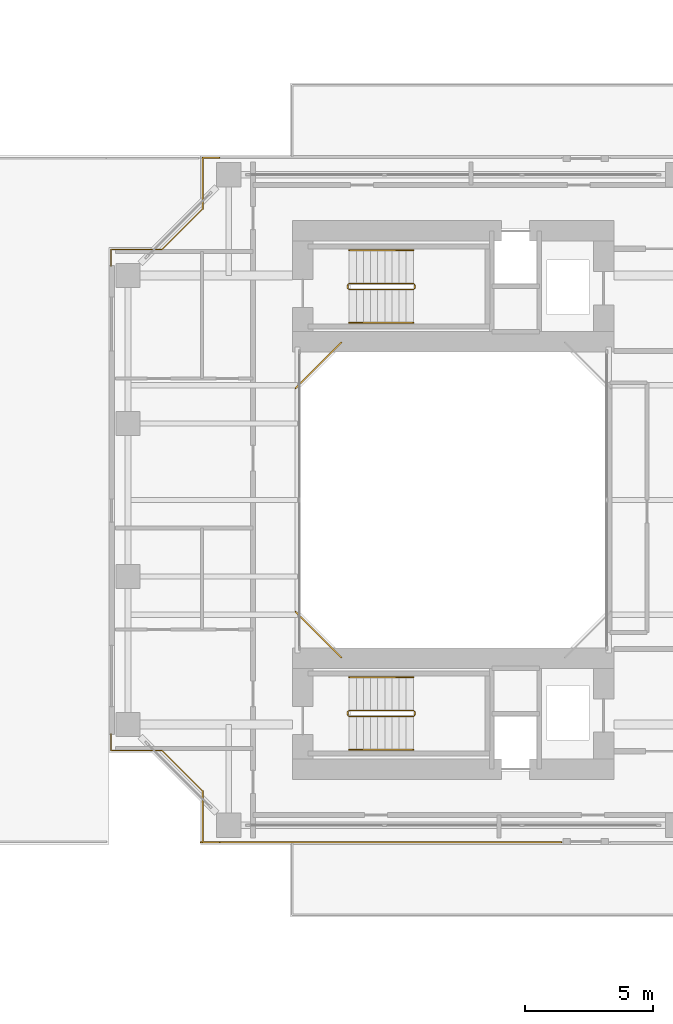
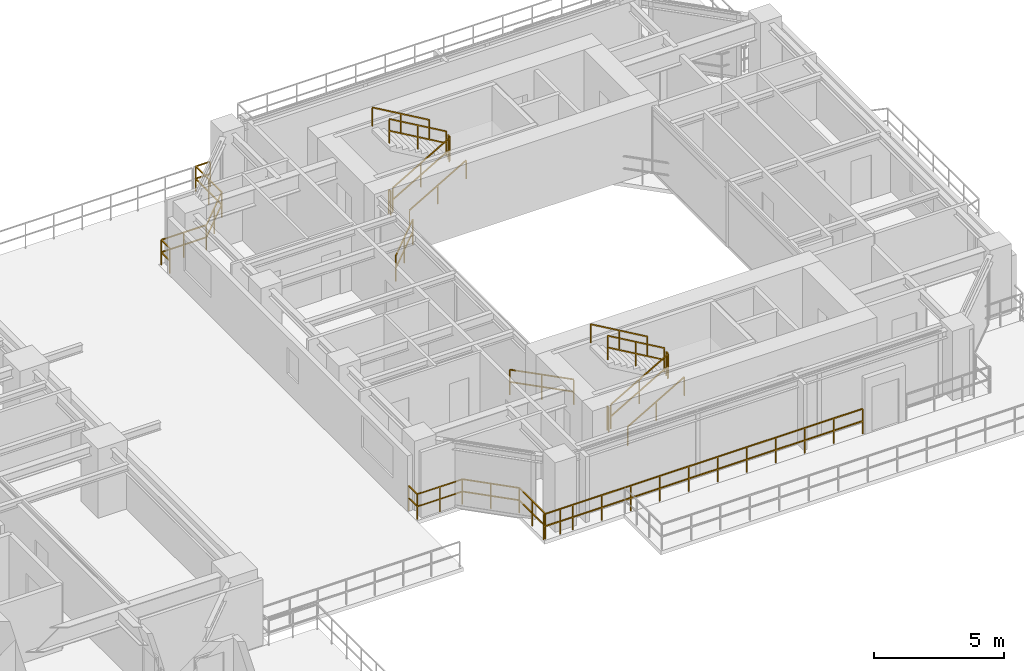
# One storey, part 20 of 22: 17 railings.
"""IFC4 building model written with IfcOpenShell, lengths in metres."""

from ifc_helpers import new_model, si_unit, direction, frame, origin, origin_2d, place, context, subcontext, project, spatial, rectangle, extrude, material, type_object, element, save


model = new_model("IFC4")

# Units and contexts
model_context = context("Model", 3, precision=1e-05, world=origin(), true_north=direction((0.0, 1.0)))
body_context = subcontext(model_context, "Body", "Model", "MODEL_VIEW")
ifc_project = project(units=[si_unit("LENGTHUNIT", "METRE"), si_unit("AREAUNIT", "SQUARE_METRE"), si_unit("VOLUMEUNIT", "CUBIC_METRE"), si_unit("PLANEANGLEUNIT", "RADIAN"), si_unit("MASSUNIT", "GRAM", prefix="KILO"), si_unit("THERMODYNAMICTEMPERATUREUNIT", "KELVIN"), si_unit("POWERUNIT", "WATT")], contexts=[model_context])

# Site, building, storey
site_placement = place(None, origin())
site = spatial("IfcSite", under=ifc_project, at=site_placement, CompositionType="ELEMENT")
building_placement = place(site_placement, origin())
building = spatial("IfcBuilding", under=site, at=building_placement, Name="Qiaomeng Ring Towers", CompositionType="ELEMENT")
storey_placement = place(building_placement, frame((0.0, 0.0, 23.0)))
storey = spatial("IfcBuildingStorey", under=building, at=storey_placement, Name="L05", CompositionType="ELEMENT", Elevation=23.0)

# Railings
ifc_material_1 = material(Name="Low-E pale-green laminated safety glass", Category="glass")
railing_type_1 = type_object("IfcRailingType", Name="ARC-RL-BAL1", PredefinedType="BALUSTRADE", material=ifc_material_1)
railing_1_placement = place(storey_placement, frame((56.1201171875, 29.179931640625, 0.0)))
element("IfcRailing", 1, at=railing_1_placement, inside=storey, type_object=railing_type_1, Name="L05 Balustrade ARC-BAL-WELL2-L05-3", PredefinedType="BALUSTRADE", context=body_context, shape_type="SweptSolid", body=[
    extrude(rectangle(XDim=0.048095703125, YDim=0.048095703125, at=origin_2d()), frame((0.0, 0.0, 1.17578125), z_axis=(-0.707106781187, -0.707106781187, 0.0), x_axis=(0.707106781187, -0.707106781187, 0.0)), (0.0, 0.0, 1.0), 2.545654296875),
    extrude(rectangle(XDim=0.048095703125, YDim=0.048095703125, at=origin_2d()), frame((0.0, 0.0, 0.60009765625), z_axis=(-0.707106781187, -0.707106781187, 0.0), x_axis=(0.707106781187, -0.707106781187, 0.0)), (0.0, 0.0, 1.0), 2.545654296875),
    extrude(rectangle(XDim=0.0419921875, YDim=0.0419921875, at=origin_2d()), origin(), (0.0, 0.0, 1.0), 1.15185546875),
    extrude(rectangle(XDim=0.0419921875, YDim=0.0419921875, at=origin_2d()), frame((-0.89990234375, -0.89990234375, 0.0)), (0.0, 0.0, 1.0), 1.15185546875),
    extrude(rectangle(XDim=0.0419921875, YDim=0.0419921875, at=origin_2d()), frame((-1.800048828125, -1.800048828125, 0.0)), (0.0, 0.0, 1.0), 1.15185546875),
])
railing_2_placement = place(storey_placement, frame((54.320068359375, 18.6201171875, 0.0)))
element("IfcRailing", 2, at=railing_2_placement, inside=storey, type_object=railing_type_1, Name="L05 Balustrade ARC-BAL-WELL2-L05-4", PredefinedType="BALUSTRADE", context=body_context, shape_type="SweptSolid", body=[
    extrude(rectangle(XDim=0.048095703125, YDim=0.048095703125, at=origin_2d()), frame((0.0, 0.0, 1.17578125), z_axis=(0.707106781187, -0.707106781187, 0.0), x_axis=(0.707106781187, 0.707106781187, 0.0)), (0.0, 0.0, 1.0), 2.545654296875),
    extrude(rectangle(XDim=0.048095703125, YDim=0.048095703125, at=origin_2d()), frame((0.0, 0.0, 0.60009765625), z_axis=(0.707106781187, -0.707106781187, 0.0), x_axis=(0.707106781187, 0.707106781187, 0.0)), (0.0, 0.0, 1.0), 2.545654296875),
    extrude(rectangle(XDim=0.0419921875, YDim=0.0419921875, at=origin_2d()), origin(), (0.0, 0.0, 1.0), 1.15185546875),
    extrude(rectangle(XDim=0.0419921875, YDim=0.0419921875, at=origin_2d()), frame((0.89990234375, -0.89990234375, 0.0)), (0.0, 0.0, 1.0), 1.15185546875),
    extrude(rectangle(XDim=0.0419921875, YDim=0.0419921875, at=origin_2d()), frame((1.800048828125, -1.800048828125, 0.0)), (0.0, 0.0, 1.0), 1.15185546875),
])
railing_3_placement = place(storey_placement, frame((51.330078125, 36.419921875, 0.0)))
element("IfcRailing", 3, at=railing_3_placement, inside=storey, type_object=railing_type_1, Name="L05 Balustrade ARC-BAL-NOTCH2-L05-NW", PredefinedType="BALUSTRADE", context=body_context, shape_type="SweptSolid", body=[
    extrude(rectangle(XDim=0.048095703125, YDim=0.048095703125, at=origin_2d()), frame((0.0, 0.0, 1.17578125), z_axis=(-1.0, 0.0, 0.0), x_axis=(0.0, -1.0, 0.0)), (0.0, 0.0, 1.0), 0.650146484375),
    extrude(rectangle(XDim=0.048095703125, YDim=0.048095703125, at=origin_2d()), frame((0.0, 0.0, 0.60009765625), z_axis=(-1.0, 0.0, 0.0), x_axis=(0.0, -1.0, 0.0)), (0.0, 0.0, 1.0), 0.650146484375),
    extrude(rectangle(XDim=0.048095703125, YDim=0.048095703125, at=origin_2d()), frame((-0.650146484375, 0.0, 1.17578125), z_axis=(0.0, -1.0, 0.0), x_axis=(1.0, 0.0, 0.0)), (0.0, 0.0, 1.0), 2.0),
    extrude(rectangle(XDim=0.048095703125, YDim=0.048095703125, at=origin_2d()), frame((-0.650146484375, 0.0, 0.60009765625), z_axis=(0.0, -1.0, 0.0), x_axis=(1.0, 0.0, 0.0)), (0.0, 0.0, 1.0), 2.0),
    extrude(rectangle(XDim=0.048095703125, YDim=0.048095703125, at=origin_2d()), frame((-0.650146484375, -2.0, 1.17578125), z_axis=(-0.707106781187, -0.707106781187, 0.0), x_axis=(0.707106781187, -0.707106781187, 0.0)), (0.0, 0.0, 1.0), 2.262451171875),
    extrude(rectangle(XDim=0.048095703125, YDim=0.048095703125, at=origin_2d()), frame((-0.650146484375, -2.0, 0.60009765625), z_axis=(-0.707106781187, -0.707106781187, 0.0), x_axis=(0.707106781187, -0.707106781187, 0.0)), (0.0, 0.0, 1.0), 2.262451171875),
    extrude(rectangle(XDim=0.048095703125, YDim=0.048095703125, at=origin_2d()), frame((-2.25, -3.599853515625, 1.17578125), z_axis=(-1.0, 0.0, 0.0), x_axis=(0.0, -1.0, 0.0)), (0.0, 0.0, 1.0), 2.0),
    extrude(rectangle(XDim=0.048095703125, YDim=0.048095703125, at=origin_2d()), frame((-2.25, -3.599853515625, 0.60009765625), z_axis=(-1.0, 0.0, 0.0), x_axis=(0.0, -1.0, 0.0)), (0.0, 0.0, 1.0), 2.0),
    extrude(rectangle(XDim=0.048095703125, YDim=0.048095703125, at=origin_2d()), frame((-4.25, -3.599853515625, 1.17578125), z_axis=(0.0, -1.0, 0.0), x_axis=(1.0, 0.0, 0.0)), (0.0, 0.0, 1.0), 0.650146484375),
    extrude(rectangle(XDim=0.048095703125, YDim=0.048095703125, at=origin_2d()), frame((-4.25, -3.599853515625, 0.60009765625), z_axis=(0.0, -1.0, 0.0), x_axis=(1.0, 0.0, 0.0)), (0.0, 0.0, 1.0), 0.650146484375),
    extrude(rectangle(XDim=0.0419921875, YDim=0.0419921875, at=origin_2d()), origin(), (0.0, 0.0, 1.0), 1.15185546875),
    extrude(rectangle(XDim=0.0419921875, YDim=0.0419921875, at=origin_2d()), frame((-0.650146484375, 0.0, 0.0)), (0.0, 0.0, 1.0), 1.15185546875),
    extrude(rectangle(XDim=0.0419921875, YDim=0.0419921875, at=origin_2d()), frame((-0.650146484375, -1.0, 0.0)), (0.0, 0.0, 1.0), 1.15185546875),
    extrude(rectangle(XDim=0.0419921875, YDim=0.0419921875, at=origin_2d()), frame((-0.650146484375, -2.0, 0.0)), (0.0, 0.0, 1.0), 1.15185546875),
    extrude(rectangle(XDim=0.0419921875, YDim=0.0419921875, at=origin_2d()), frame((-1.4501953125, -2.7998046875, 0.0)), (0.0, 0.0, 1.0), 1.15185546875),
    extrude(rectangle(XDim=0.0419921875, YDim=0.0419921875, at=origin_2d()), frame((-2.25, -3.599853515625, 0.0)), (0.0, 0.0, 1.0), 1.15185546875),
    extrude(rectangle(XDim=0.0419921875, YDim=0.0419921875, at=origin_2d()), frame((-3.25, -3.599853515625, 0.0)), (0.0, 0.0, 1.0), 1.15185546875),
    extrude(rectangle(XDim=0.0419921875, YDim=0.0419921875, at=origin_2d()), frame((-4.25, -3.599853515625, 0.0)), (0.0, 0.0, 1.0), 1.15185546875),
    extrude(rectangle(XDim=0.0419921875, YDim=0.0419921875, at=origin_2d()), frame((-4.25, -4.25, 0.0)), (0.0, 0.0, 1.0), 1.15185546875),
])
railing_4_placement = place(storey_placement, frame((47.080078125, 13.830078125, 0.0)))
element("IfcRailing", 4, at=railing_4_placement, inside=storey, type_object=railing_type_1, Name="L05 Balustrade ARC-BAL-NOTCH2-L05-SW", PredefinedType="BALUSTRADE", context=body_context, shape_type="SweptSolid", body=[
    extrude(rectangle(XDim=0.048095703125, YDim=0.048095703125, at=origin_2d()), frame((0.0, 0.0, 1.17578125), z_axis=(0.0, -1.0, 0.0), x_axis=(1.0, 0.0, 0.0)), (0.0, 0.0, 1.0), 0.650146484375),
    extrude(rectangle(XDim=0.048095703125, YDim=0.048095703125, at=origin_2d()), frame((0.0, 0.0, 0.60009765625), z_axis=(0.0, -1.0, 0.0), x_axis=(1.0, 0.0, 0.0)), (0.0, 0.0, 1.0), 0.650146484375),
    extrude(rectangle(XDim=0.048095703125, YDim=0.048095703125, at=origin_2d()), frame((0.0, -0.650146484375, 1.17578125), z_axis=(1.0, 0.0, 0.0), x_axis=(0.0, 1.0, 0.0)), (0.0, 0.0, 1.0), 2.0),
    extrude(rectangle(XDim=0.048095703125, YDim=0.048095703125, at=origin_2d()), frame((0.0, -0.650146484375, 0.60009765625), z_axis=(1.0, 0.0, 0.0), x_axis=(0.0, 1.0, 0.0)), (0.0, 0.0, 1.0), 2.0),
    extrude(rectangle(XDim=0.048095703125, YDim=0.048095703125, at=origin_2d()), frame((2.0, -0.650146484375, 1.17578125), z_axis=(0.707106781187, -0.707106781187, 0.0), x_axis=(0.707106781187, 0.707106781187, 0.0)), (0.0, 0.0, 1.0), 2.262451171875),
    extrude(rectangle(XDim=0.048095703125, YDim=0.048095703125, at=origin_2d()), frame((2.0, -0.650146484375, 0.60009765625), z_axis=(0.707106781187, -0.707106781187, 0.0), x_axis=(0.707106781187, 0.707106781187, 0.0)), (0.0, 0.0, 1.0), 2.262451171875),
    extrude(rectangle(XDim=0.048095703125, YDim=0.048095703125, at=origin_2d()), frame((3.599853515625, -2.25, 1.17578125), z_axis=(0.0, -1.0, 0.0), x_axis=(1.0, 0.0, 0.0)), (0.0, 0.0, 1.0), 2.0),
    extrude(rectangle(XDim=0.048095703125, YDim=0.048095703125, at=origin_2d()), frame((3.599853515625, -2.25, 0.60009765625), z_axis=(0.0, -1.0, 0.0), x_axis=(1.0, 0.0, 0.0)), (0.0, 0.0, 1.0), 2.0),
    extrude(rectangle(XDim=0.048095703125, YDim=0.048095703125, at=origin_2d()), frame((3.599853515625, -4.25, 1.17578125), z_axis=(1.0, 0.0, 0.0), x_axis=(0.0, 1.0, 0.0)), (0.0, 0.0, 1.0), 0.650146484375),
    extrude(rectangle(XDim=0.048095703125, YDim=0.048095703125, at=origin_2d()), frame((3.599853515625, -4.25, 0.60009765625), z_axis=(1.0, 0.0, 0.0), x_axis=(0.0, 1.0, 0.0)), (0.0, 0.0, 1.0), 0.650146484375),
    extrude(rectangle(XDim=0.0419921875, YDim=0.0419921875, at=origin_2d()), origin(), (0.0, 0.0, 1.0), 1.15185546875),
    extrude(rectangle(XDim=0.0419921875, YDim=0.0419921875, at=origin_2d()), frame((0.0, -0.650146484375, 0.0)), (0.0, 0.0, 1.0), 1.15185546875),
    extrude(rectangle(XDim=0.0419921875, YDim=0.0419921875, at=origin_2d()), frame((1.0, -0.650146484375, 0.0)), (0.0, 0.0, 1.0), 1.15185546875),
    extrude(rectangle(XDim=0.0419921875, YDim=0.0419921875, at=origin_2d()), frame((2.0, -0.650146484375, 0.0)), (0.0, 0.0, 1.0), 1.15185546875),
    extrude(rectangle(XDim=0.0419921875, YDim=0.0419921875, at=origin_2d()), frame((2.7998046875, -1.4501953125, 0.0)), (0.0, 0.0, 1.0), 1.15185546875),
    extrude(rectangle(XDim=0.0419921875, YDim=0.0419921875, at=origin_2d()), frame((3.599853515625, -2.25, 0.0)), (0.0, 0.0, 1.0), 1.15185546875),
    extrude(rectangle(XDim=0.0419921875, YDim=0.0419921875, at=origin_2d()), frame((3.599853515625, -3.25, 0.0)), (0.0, 0.0, 1.0), 1.15185546875),
    extrude(rectangle(XDim=0.0419921875, YDim=0.0419921875, at=origin_2d()), frame((3.599853515625, -4.25, 0.0)), (0.0, 0.0, 1.0), 1.15185546875),
    extrude(rectangle(XDim=0.0419921875, YDim=0.0419921875, at=origin_2d()), frame((4.25, -4.25, 0.0)), (0.0, 0.0, 1.0), 1.15185546875),
])
railing_5_placement = place(storey_placement, frame((50.60009765625, 9.580078125, 0.0)))
element("IfcRailing", 5, at=railing_5_placement, inside=storey, type_object=railing_type_1, Name="L05 Balustrade ARC-BAL-T2S-L05", PredefinedType="BALUSTRADE", context=body_context, shape_type="SweptSolid", body=[
    extrude(rectangle(XDim=0.048095703125, YDim=0.048095703125, at=origin_2d()), frame((0.0, 0.0, 1.17578125), z_axis=(1.0, 0.0, 0.0), x_axis=(0.0, 1.0, 0.0)), (0.0, 0.0, 1.0), 14.139892578125),
    extrude(rectangle(XDim=0.048095703125, YDim=0.048095703125, at=origin_2d()), frame((0.0, 0.0, 0.60009765625), z_axis=(1.0, 0.0, 0.0), x_axis=(0.0, 1.0, 0.0)), (0.0, 0.0, 1.0), 14.139892578125),
    extrude(rectangle(XDim=0.0419921875, YDim=0.0419921875, at=origin_2d()), origin(), (0.0, 0.0, 1.0), 1.15185546875),
    extrude(rectangle(XDim=0.0419921875, YDim=0.0419921875, at=origin_2d()), frame((1.285400390625, 0.0, 0.0)), (0.0, 0.0, 1.0), 1.15185546875),
    extrude(rectangle(XDim=0.0419921875, YDim=0.0419921875, at=origin_2d()), frame((2.57080078125, 0.0, 0.0)), (0.0, 0.0, 1.0), 1.15185546875),
    extrude(rectangle(XDim=0.0419921875, YDim=0.0419921875, at=origin_2d()), frame((3.8564453125, 0.0, 0.0)), (0.0, 0.0, 1.0), 1.15185546875),
    extrude(rectangle(XDim=0.0419921875, YDim=0.0419921875, at=origin_2d()), frame((5.141845703125, 0.0, 0.0)), (0.0, 0.0, 1.0), 1.15185546875),
    extrude(rectangle(XDim=0.0419921875, YDim=0.0419921875, at=origin_2d()), frame((6.42724609375, 0.0, 0.0)), (0.0, 0.0, 1.0), 1.15185546875),
    extrude(rectangle(XDim=0.0419921875, YDim=0.0419921875, at=origin_2d()), frame((7.712646484375, 0.0, 0.0)), (0.0, 0.0, 1.0), 1.15185546875),
    extrude(rectangle(XDim=0.0419921875, YDim=0.0419921875, at=origin_2d()), frame((8.998046875, 0.0, 0.0)), (0.0, 0.0, 1.0), 1.15185546875),
    extrude(rectangle(XDim=0.0419921875, YDim=0.0419921875, at=origin_2d()), frame((10.283447265625, 0.0, 0.0)), (0.0, 0.0, 1.0), 1.15185546875),
    extrude(rectangle(XDim=0.0419921875, YDim=0.0419921875, at=origin_2d()), frame((11.569091796875, 0.0, 0.0)), (0.0, 0.0, 1.0), 1.15185546875),
    extrude(rectangle(XDim=0.0419921875, YDim=0.0419921875, at=origin_2d()), frame((12.8544921875, 0.0, 0.0)), (0.0, 0.0, 1.0), 1.15185546875),
    extrude(rectangle(XDim=0.0419921875, YDim=0.0419921875, at=origin_2d()), frame((14.139892578125, 0.0, 0.0)), (0.0, 0.0, 1.0), 1.15185546875),
])
ifc_material_2 = material(Name="Galvanised steel", Category="steel")
railing_type_2 = type_object("IfcRailingType", Name="ARC-RL-GUARD", PredefinedType="GUARDRAIL", material=ifc_material_2)
railing_6_placement = place(storey_placement, frame((56.419921875, 31.25, 0.16259765625)))
element("IfcRailing", 6, at=railing_6_placement, inside=storey, type_object=railing_type_2, Name="L05 ST5 stair guard 1", PredefinedType="GUARDRAIL", context=body_context, shape_type="SweptSolid", body=[
    extrude(rectangle(XDim=0.048095703125, YDim=0.048095703125, at=origin_2d()), frame((0.0, 0.0, 1.1259765625), z_axis=(0.864913338283, 0.0, 0.50192122615), x_axis=(0.0, 1.0, 0.0)), (0.0, 0.0, 1.0), 2.91357421875),
    extrude(rectangle(XDim=0.048095703125, YDim=0.048095703125, at=origin_2d()), frame((0.0, 0.0, 0.574951171875), z_axis=(0.864913338283, 0.0, 0.50192122615), x_axis=(0.0, 1.0, 0.0)), (0.0, 0.0, 1.0), 2.91357421875),
    extrude(rectangle(XDim=0.0419921875, YDim=0.0419921875, at=origin_2d()), origin(), (0.0, 0.0, 1.0), 1.101806640625),
    extrude(rectangle(XDim=0.0419921875, YDim=0.0419921875, at=origin_2d()), frame((1.260009765625, 0.0, 0.731201171875)), (0.0, 0.0, 1.0), 1.101806640625),
    extrude(rectangle(XDim=0.0419921875, YDim=0.0419921875, at=origin_2d()), frame((2.52001953125, 0.0, 1.46240234375)), (0.0, 0.0, 1.0), 1.101806640625),
])
railing_7_placement = place(storey_placement, frame((58.989990234375, 31.300048828125, 1.625)))
element("IfcRailing", 7, at=railing_7_placement, inside=storey, type_object=railing_type_2, Name="L05 ST5 stair guard 2", PredefinedType="GUARDRAIL", context=body_context, shape_type="SweptSolid", body=[
    extrude(rectangle(XDim=0.048095703125, YDim=0.048095703125, at=origin_2d()), frame((0.0, 0.0, 1.1259765625), z_axis=(0.0, 1.0, 0.0), x_axis=(-1.0, 0.0, 0.0)), (0.0, 0.0, 1.0), 0.139892578125),
    extrude(rectangle(XDim=0.048095703125, YDim=0.048095703125, at=origin_2d()), frame((0.0, 0.0, 0.574951171875), z_axis=(0.0, 1.0, 0.0), x_axis=(-1.0, 0.0, 0.0)), (0.0, 0.0, 1.0), 0.139892578125),
    extrude(rectangle(XDim=0.0419921875, YDim=0.0419921875, at=origin_2d()), origin(), (0.0, 0.0, 1.0), 1.101806640625),
    extrude(rectangle(XDim=0.0419921875, YDim=0.0419921875, at=origin_2d()), frame((0.0, 0.139892578125, 0.0)), (0.0, 0.0, 1.0), 1.101806640625),
])
railing_8_placement = place(storey_placement, frame((58.93994140625, 31.489990234375, 1.78759765625)))
element("IfcRailing", 8, at=railing_8_placement, inside=storey, type_object=railing_type_2, Name="L05 ST5 stair guard 3", PredefinedType="GUARDRAIL", context=body_context, shape_type="SweptSolid", body=[
    extrude(rectangle(XDim=0.048095703125, YDim=0.048095703125, at=origin_2d()), frame((0.0, 0.0, 1.1259765625), z_axis=(-0.864913338283, 0.0, 0.50192122615), x_axis=(0.0, -1.0, 0.0)), (0.0, 0.0, 1.0), 2.91357421875),
    extrude(rectangle(XDim=0.048095703125, YDim=0.048095703125, at=origin_2d()), frame((0.0, 0.0, 0.574951171875), z_axis=(-0.864913338283, 0.0, 0.50192122615), x_axis=(0.0, -1.0, 0.0)), (0.0, 0.0, 1.0), 2.91357421875),
    extrude(rectangle(XDim=0.0419921875, YDim=0.0419921875, at=origin_2d()), origin(), (0.0, 0.0, 1.0), 1.101806640625),
    extrude(rectangle(XDim=0.0419921875, YDim=0.0419921875, at=origin_2d()), frame((-1.260009765625, 0.0, 0.731201171875)), (0.0, 0.0, 1.0), 1.101806640625),
    extrude(rectangle(XDim=0.0419921875, YDim=0.0419921875, at=origin_2d()), frame((-2.52001953125, 0.0, 1.46240234375)), (0.0, 0.0, 1.0), 1.101806640625),
])
railing_9_placement = place(storey_placement, frame((56.3701171875, 31.300048828125, 0.0)))
element("IfcRailing", 9, at=railing_9_placement, inside=storey, type_object=railing_type_2, Name="L05 ST5 stair guard 4", PredefinedType="GUARDRAIL", context=body_context, shape_type="SweptSolid", body=[
    extrude(rectangle(XDim=0.048095703125, YDim=0.048095703125, at=origin_2d()), frame((0.0, 0.0, 1.1259765625), z_axis=(0.0, 1.0, 0.0), x_axis=(-1.0, 0.0, 0.0)), (0.0, 0.0, 1.0), 0.139892578125),
    extrude(rectangle(XDim=0.048095703125, YDim=0.048095703125, at=origin_2d()), frame((0.0, 0.0, 0.574951171875), z_axis=(0.0, 1.0, 0.0), x_axis=(-1.0, 0.0, 0.0)), (0.0, 0.0, 1.0), 0.139892578125),
    extrude(rectangle(XDim=0.0419921875, YDim=0.0419921875, at=origin_2d()), origin(), (0.0, 0.0, 1.0), 1.101806640625),
    extrude(rectangle(XDim=0.0419921875, YDim=0.0419921875, at=origin_2d()), frame((0.0, 0.139892578125, 0.0)), (0.0, 0.0, 1.0), 1.101806640625),
])
railing_10_placement = place(storey_placement, frame((56.419921875, 14.510009765625, 0.16259765625)))
element("IfcRailing", 10, at=railing_10_placement, inside=storey, type_object=railing_type_2, Name="L05 ST6 stair guard 1", PredefinedType="GUARDRAIL", context=body_context, shape_type="SweptSolid", body=[
    extrude(rectangle(XDim=0.048095703125, YDim=0.048095703125, at=origin_2d()), frame((0.0, 0.0, 1.1259765625), z_axis=(0.864913338283, 0.0, 0.50192122615), x_axis=(0.0, 1.0, 0.0)), (0.0, 0.0, 1.0), 2.91357421875),
    extrude(rectangle(XDim=0.048095703125, YDim=0.048095703125, at=origin_2d()), frame((0.0, 0.0, 0.574951171875), z_axis=(0.864913338283, 0.0, 0.50192122615), x_axis=(0.0, 1.0, 0.0)), (0.0, 0.0, 1.0), 2.91357421875),
    extrude(rectangle(XDim=0.0419921875, YDim=0.0419921875, at=origin_2d()), origin(), (0.0, 0.0, 1.0), 1.101806640625),
    extrude(rectangle(XDim=0.0419921875, YDim=0.0419921875, at=origin_2d()), frame((1.260009765625, 0.0, 0.731201171875)), (0.0, 0.0, 1.0), 1.101806640625),
    extrude(rectangle(XDim=0.0419921875, YDim=0.0419921875, at=origin_2d()), frame((2.52001953125, 0.0, 1.46240234375)), (0.0, 0.0, 1.0), 1.101806640625),
])
railing_11_placement = place(storey_placement, frame((58.989990234375, 14.56005859375, 1.625)))
element("IfcRailing", 11, at=railing_11_placement, inside=storey, type_object=railing_type_2, Name="L05 ST6 stair guard 2", PredefinedType="GUARDRAIL", context=body_context, shape_type="SweptSolid", body=[
    extrude(rectangle(XDim=0.048095703125, YDim=0.048095703125, at=origin_2d()), frame((0.0, 0.0, 1.1259765625), z_axis=(0.0, 1.0, 0.0), x_axis=(-1.0, 0.0, 0.0)), (0.0, 0.0, 1.0), 0.139892578125),
    extrude(rectangle(XDim=0.048095703125, YDim=0.048095703125, at=origin_2d()), frame((0.0, 0.0, 0.574951171875), z_axis=(0.0, 1.0, 0.0), x_axis=(-1.0, 0.0, 0.0)), (0.0, 0.0, 1.0), 0.139892578125),
    extrude(rectangle(XDim=0.0419921875, YDim=0.0419921875, at=origin_2d()), origin(), (0.0, 0.0, 1.0), 1.101806640625),
    extrude(rectangle(XDim=0.0419921875, YDim=0.0419921875, at=origin_2d()), frame((0.0, 0.139892578125, 0.0)), (0.0, 0.0, 1.0), 1.101806640625),
])
railing_12_placement = place(storey_placement, frame((58.93994140625, 14.75, 1.78759765625)))
element("IfcRailing", 12, at=railing_12_placement, inside=storey, type_object=railing_type_2, Name="L05 ST6 stair guard 3", PredefinedType="GUARDRAIL", context=body_context, shape_type="SweptSolid", body=[
    extrude(rectangle(XDim=0.048095703125, YDim=0.048095703125, at=origin_2d()), frame((0.0, 0.0, 1.1259765625), z_axis=(-0.864913338283, 0.0, 0.50192122615), x_axis=(0.0, -1.0, 0.0)), (0.0, 0.0, 1.0), 2.91357421875),
    extrude(rectangle(XDim=0.048095703125, YDim=0.048095703125, at=origin_2d()), frame((0.0, 0.0, 0.574951171875), z_axis=(-0.864913338283, 0.0, 0.50192122615), x_axis=(0.0, -1.0, 0.0)), (0.0, 0.0, 1.0), 2.91357421875),
    extrude(rectangle(XDim=0.0419921875, YDim=0.0419921875, at=origin_2d()), origin(), (0.0, 0.0, 1.0), 1.101806640625),
    extrude(rectangle(XDim=0.0419921875, YDim=0.0419921875, at=origin_2d()), frame((-1.260009765625, 0.0, 0.731201171875)), (0.0, 0.0, 1.0), 1.101806640625),
    extrude(rectangle(XDim=0.0419921875, YDim=0.0419921875, at=origin_2d()), frame((-2.52001953125, 0.0, 1.46240234375)), (0.0, 0.0, 1.0), 1.101806640625),
])
railing_13_placement = place(storey_placement, frame((56.3701171875, 14.56005859375, 0.0)))
element("IfcRailing", 13, at=railing_13_placement, inside=storey, type_object=railing_type_2, Name="L05 ST6 stair guard 4", PredefinedType="GUARDRAIL", context=body_context, shape_type="SweptSolid", body=[
    extrude(rectangle(XDim=0.048095703125, YDim=0.048095703125, at=origin_2d()), frame((0.0, 0.0, 1.1259765625), z_axis=(0.0, 1.0, 0.0), x_axis=(-1.0, 0.0, 0.0)), (0.0, 0.0, 1.0), 0.139892578125),
    extrude(rectangle(XDim=0.048095703125, YDim=0.048095703125, at=origin_2d()), frame((0.0, 0.0, 0.574951171875), z_axis=(0.0, 1.0, 0.0), x_axis=(-1.0, 0.0, 0.0)), (0.0, 0.0, 1.0), 0.139892578125),
    extrude(rectangle(XDim=0.0419921875, YDim=0.0419921875, at=origin_2d()), origin(), (0.0, 0.0, 1.0), 1.101806640625),
    extrude(rectangle(XDim=0.0419921875, YDim=0.0419921875, at=origin_2d()), frame((0.0, 0.139892578125, 0.0)), (0.0, 0.0, 1.0), 1.101806640625),
])
ifc_material_3 = material(Name="Stainless steel 316", Category="steel")
railing_type_3 = type_object("IfcRailingType", Name="ARC-RL-HAND", PredefinedType="HANDRAIL", material=ifc_material_3)
railing_14_placement = place(storey_placement, frame((56.419921875, 29.949951171875, 0.16259765625)))
element("IfcRailing", 14, at=railing_14_placement, inside=storey, type_object=railing_type_3, Name="L05 ST5 stair handrail 1", PredefinedType="HANDRAIL", context=body_context, shape_type="SweptSolid", body=[
    extrude(rectangle(XDim=0.048095703125, YDim=0.048095703125, at=origin_2d()), frame((0.0, 0.0, 0.8759765625), z_axis=(0.864913338283, 0.0, 0.50192122615), x_axis=(0.0, 1.0, 0.0)), (0.0, 0.0, 1.0), 2.91357421875),
    extrude(rectangle(XDim=0.0419921875, YDim=0.0419921875, at=origin_2d()), origin(), (0.0, 0.0, 1.0), 0.851806640625),
    extrude(rectangle(XDim=0.0419921875, YDim=0.0419921875, at=origin_2d()), frame((1.260009765625, 0.0, 0.731201171875)), (0.0, 0.0, 1.0), 0.851806640625),
    extrude(rectangle(XDim=0.0419921875, YDim=0.0419921875, at=origin_2d()), frame((2.52001953125, 0.0, 1.46240234375)), (0.0, 0.0, 1.0), 0.851806640625),
])
railing_15_placement = place(storey_placement, frame((58.93994140625, 32.7900390625, 1.78759765625)))
element("IfcRailing", 15, at=railing_15_placement, inside=storey, type_object=railing_type_3, Name="L05 ST5 stair handrail 2", PredefinedType="HANDRAIL", context=body_context, shape_type="SweptSolid", body=[
    extrude(rectangle(XDim=0.048095703125, YDim=0.048095703125, at=origin_2d()), frame((0.0, 0.0, 0.8759765625), z_axis=(-0.864913338283, 0.0, 0.50192122615), x_axis=(0.0, -1.0, 0.0)), (0.0, 0.0, 1.0), 2.91357421875),
    extrude(rectangle(XDim=0.0419921875, YDim=0.0419921875, at=origin_2d()), origin(), (0.0, 0.0, 1.0), 0.851806640625),
    extrude(rectangle(XDim=0.0419921875, YDim=0.0419921875, at=origin_2d()), frame((-1.260009765625, 0.0, 0.731201171875)), (0.0, 0.0, 1.0), 0.851806640625),
    extrude(rectangle(XDim=0.0419921875, YDim=0.0419921875, at=origin_2d()), frame((-2.52001953125, 0.0, 1.46240234375)), (0.0, 0.0, 1.0), 0.851806640625),
])
railing_16_placement = place(storey_placement, frame((56.419921875, 13.2099609375, 0.16259765625)))
element("IfcRailing", 16, at=railing_16_placement, inside=storey, type_object=railing_type_3, Name="L05 ST6 stair handrail 1", PredefinedType="HANDRAIL", context=body_context, shape_type="SweptSolid", body=[
    extrude(rectangle(XDim=0.048095703125, YDim=0.048095703125, at=origin_2d()), frame((0.0, 0.0, 0.8759765625), z_axis=(0.864913338283, 0.0, 0.50192122615), x_axis=(0.0, 1.0, 0.0)), (0.0, 0.0, 1.0), 2.91357421875),
    extrude(rectangle(XDim=0.0419921875, YDim=0.0419921875, at=origin_2d()), origin(), (0.0, 0.0, 1.0), 0.851806640625),
    extrude(rectangle(XDim=0.0419921875, YDim=0.0419921875, at=origin_2d()), frame((1.260009765625, 0.0, 0.731201171875)), (0.0, 0.0, 1.0), 0.851806640625),
    extrude(rectangle(XDim=0.0419921875, YDim=0.0419921875, at=origin_2d()), frame((2.52001953125, 0.0, 1.46240234375)), (0.0, 0.0, 1.0), 0.851806640625),
])
railing_17_placement = place(storey_placement, frame((58.93994140625, 16.050048828125, 1.78759765625)))
element("IfcRailing", 17, at=railing_17_placement, inside=storey, type_object=railing_type_3, Name="L05 ST6 stair handrail 2", PredefinedType="HANDRAIL", context=body_context, shape_type="SweptSolid", body=[
    extrude(rectangle(XDim=0.048095703125, YDim=0.048095703125, at=origin_2d()), frame((0.0, 0.0, 0.8759765625), z_axis=(-0.864913338283, 0.0, 0.50192122615), x_axis=(0.0, -1.0, 0.0)), (0.0, 0.0, 1.0), 2.91357421875),
    extrude(rectangle(XDim=0.0419921875, YDim=0.0419921875, at=origin_2d()), origin(), (0.0, 0.0, 1.0), 0.851806640625),
    extrude(rectangle(XDim=0.0419921875, YDim=0.0419921875, at=origin_2d()), frame((-1.260009765625, 0.0, 0.731201171875)), (0.0, 0.0, 1.0), 0.851806640625),
    extrude(rectangle(XDim=0.0419921875, YDim=0.0419921875, at=origin_2d()), frame((-2.52001953125, 0.0, 1.46240234375)), (0.0, 0.0, 1.0), 0.851806640625),
])

save(model, "model.ifc")
